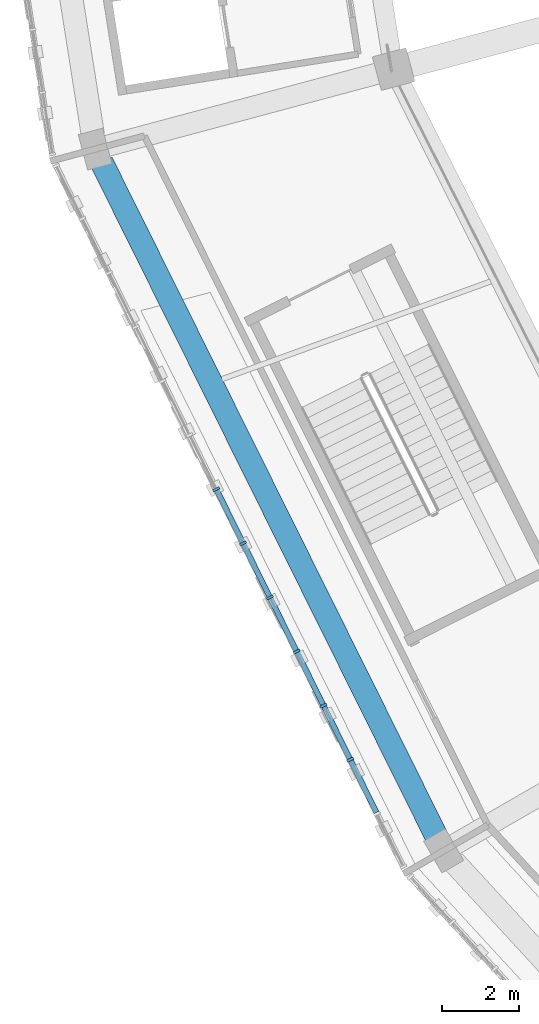
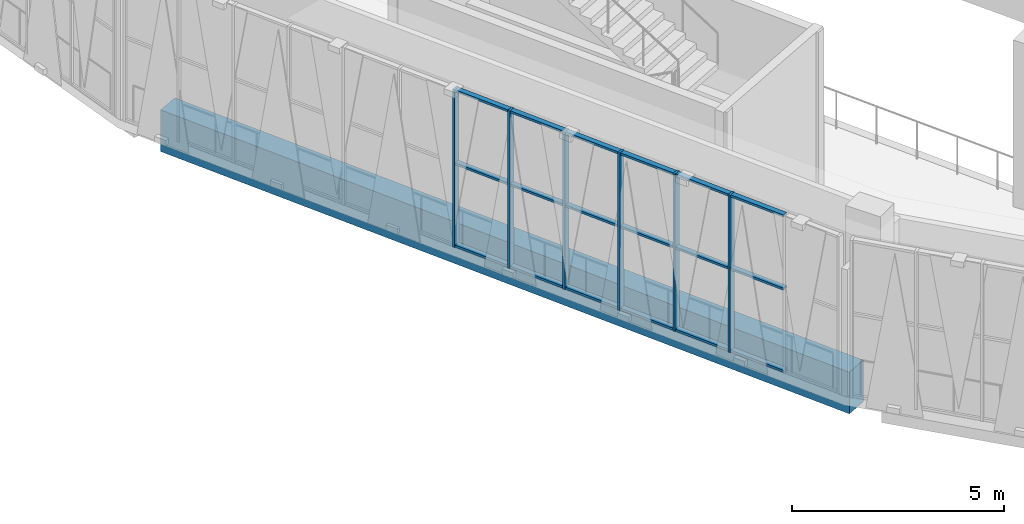
# One storey, part 3 of 108: 24 members, 1 beam, 1 element without a shape of its own.
"""IFC4 building model written with IfcOpenShell, lengths in metres."""

from ifc_helpers import new_model, si_unit, direction, frame, origin, origin_2d, place, context, subcontext, project, spatial, rectangle, extrude, material, material_profile, profile_set, type_object, element, aggregate, save


model = new_model("IFC4")

# Units and contexts
model_context = context("Model", 3, precision=1e-05, world=origin(), true_north=direction((0.0, 1.0)))
body_context = subcontext(model_context, "Body", "Model", "MODEL_VIEW")
ifc_project = project(units=[si_unit("LENGTHUNIT", "METRE"), si_unit("AREAUNIT", "SQUARE_METRE"), si_unit("VOLUMEUNIT", "CUBIC_METRE"), si_unit("PLANEANGLEUNIT", "RADIAN"), si_unit("MASSUNIT", "GRAM", prefix="KILO")], contexts=[model_context])

# Site, building, storey
site_placement = place(None, origin())
site = spatial("IfcSite", under=ifc_project, at=site_placement, CompositionType="ELEMENT")
building_placement = place(site_placement, origin())
building = spatial("IfcBuilding", under=site, at=building_placement, Name="Zevraka Park Crest Stadium", CompositionType="ELEMENT")
storey_placement = place(building_placement, frame((0.0, 0.0, 19.800048828125)))
storey = spatial("IfcBuildingStorey", under=building, at=storey_placement, Name="L04", CompositionType="ELEMENT", Elevation=19.800048828125)

# Curtain wall, members
ifc_material_1 = material(Name="Anodised architectural aluminium and laminated safety glass", Category="aluminium")
curtain_wall_type = type_object("IfcCurtainWallType", Name="CW17", PredefinedType="NOTDEFINED", material=ifc_material_1)
curtain_wall_placement = place(storey_placement, origin())
curtain_wall = element("IfcCurtainWall", 1, at=curtain_wall_placement, inside=storey, type_object=curtain_wall_type, Name="Unitised Ring Curtain Wall CW17 L04-13", PredefinedType="NOTDEFINED")
ifc_material_2 = material(Name="Anodised architectural aluminium", Category="aluminium")
ifc_material_profile_1 = material_profile(ifc_material_2, rectangle(XDim=0.179931640625, YDim=0.06494140625, at=origin_2d()), Name="ALU MULLION 180x65")
ifc_profile_set_1 = profile_set([ifc_material_profile_1], Name="Anodised architectural aluminium")
member_type_1 = type_object("IfcMemberType", Name="CM02", PredefinedType="MULLION", material=ifc_profile_set_1)
member_1_placement = place(storey_placement, frame((27.91357421875, 63.71044921875, 0.0), z_axis=(0.0, 0.0, 1.0), x_axis=(0.896046076106, 0.443961067545, 0.0)))
member_1 = element("IfcMember", 2, at=member_1_placement, type_object=member_type_1, Name="CW17 mullion 7", PredefinedType="MULLION", context=body_context, shape_type="SweptSolid", body=[
    extrude(rectangle(XDim=0.179931640625, YDim=0.06494140625, at=origin_2d()), origin(), (0.0, 0.0, 1.0), 4.5400390625),
])
member_2_placement = place(storey_placement, frame((28.607421875, 62.310546875, 0.0), z_axis=(0.0, 0.0, 1.0), x_axis=(0.896046076106, 0.443961067545, 0.0)))
member_2 = element("IfcMember", 3, at=member_2_placement, type_object=member_type_1, Name="CW17 mullion 8", PredefinedType="MULLION", context=body_context, shape_type="SweptSolid", body=[
    extrude(rectangle(XDim=0.179931640625, YDim=0.06494140625, at=origin_2d()), origin(), (0.0, 0.0, 1.0), 4.5400390625),
])
member_3_placement = place(storey_placement, frame((29.301025390625, 60.91064453125, 0.0), z_axis=(0.0, 0.0, 1.0), x_axis=(0.896046076106, 0.443961067545, 0.0)))
member_3 = element("IfcMember", 4, at=member_3_placement, type_object=member_type_1, Name="CW17 mullion 9", PredefinedType="MULLION", context=body_context, shape_type="SweptSolid", body=[
    extrude(rectangle(XDim=0.179931640625, YDim=0.06494140625, at=origin_2d()), origin(), (0.0, 0.0, 1.0), 4.5400390625),
])
member_4_placement = place(storey_placement, frame((29.99462890625, 59.5107421875, 0.0), z_axis=(0.0, 0.0, 1.0), x_axis=(0.896046076106, 0.443961067545, 0.0)))
member_4 = element("IfcMember", 5, at=member_4_placement, type_object=member_type_1, Name="CW17 mullion 10", PredefinedType="MULLION", context=body_context, shape_type="SweptSolid", body=[
    extrude(rectangle(XDim=0.179931640625, YDim=0.06494140625, at=origin_2d()), origin(), (0.0, 0.0, 1.0), 4.5400390625),
])
member_5_placement = place(storey_placement, frame((30.688232421875, 58.11083984375, 0.0), z_axis=(0.0, 0.0, 1.0), x_axis=(0.896046076106, 0.443961067545, 0.0)))
member_5 = element("IfcMember", 6, at=member_5_placement, type_object=member_type_1, Name="CW17 mullion 11", PredefinedType="MULLION", context=body_context, shape_type="SweptSolid", body=[
    extrude(rectangle(XDim=0.179931640625, YDim=0.06494140625, at=origin_2d()), origin(), (0.0, 0.0, 1.0), 4.5400390625),
])
member_6_placement = place(storey_placement, frame((31.3818359375, 56.7109375, 0.0), z_axis=(0.0, 0.0, 1.0), x_axis=(0.896046076106, 0.443961067545, 0.0)))
member_6 = element("IfcMember", 7, at=member_6_placement, type_object=member_type_1, Name="CW17 mullion 12", PredefinedType="MULLION", context=body_context, shape_type="SweptSolid", body=[
    extrude(rectangle(XDim=0.179931640625, YDim=0.06494140625, at=origin_2d()), origin(), (0.0, 0.0, 1.0), 4.5400390625),
])
ifc_material_3 = material(Name="Anodised architectural aluminium", Category="aluminium")
ifc_material_profile_2 = material_profile(ifc_material_3, rectangle(XDim=0.139892578125, YDim=0.06494140625, at=origin_2d()), Name="ALU TRANSOM 140x65")
ifc_profile_set_2 = profile_set([ifc_material_profile_2], Name="Anodised architectural aluminium")
member_type_2 = type_object("IfcMemberType", Name="CT02", PredefinedType="USERDEFINED", material=ifc_profile_set_2)
member_7_placement = place(storey_placement, frame((27.92822265625, 63.681396484375, 0.032470703125), z_axis=(0.443818964624, -0.89611646935, 0.0), x_axis=(0.89611646935, 0.443818964624, 0.0)))
member_7 = element("IfcMember", 8, at=member_7_placement, type_object=member_type_2, Name="CW17 transom 7.1", ObjectType="TRANSOM", PredefinedType="USERDEFINED", context=body_context, shape_type="SweptSolid", body=[
    extrude(rectangle(XDim=0.139892578125, YDim=0.06494140625, at=origin_2d()), origin(), (0.0, 0.0, 1.0), 1.497314453125),
])
member_8_placement = place(storey_placement, frame((27.92822265625, 63.681396484375, 2.39990234375), z_axis=(0.443818964624, -0.89611646935, 0.0), x_axis=(0.89611646935, 0.443818964624, 0.0)))
member_8 = element("IfcMember", 9, at=member_8_placement, type_object=member_type_2, Name="CW17 transom 7.2", ObjectType="TRANSOM", PredefinedType="USERDEFINED", context=body_context, shape_type="SweptSolid", body=[
    extrude(rectangle(XDim=0.139892578125, YDim=0.06494140625, at=origin_2d()), origin(), (0.0, 0.0, 1.0), 1.497314453125),
])
member_9_placement = place(storey_placement, frame((27.92822265625, 63.681396484375, 4.507568359375), z_axis=(0.443818964624, -0.89611646935, 0.0), x_axis=(0.89611646935, 0.443818964624, 0.0)))
member_9 = element("IfcMember", 10, at=member_9_placement, type_object=member_type_2, Name="CW17 transom 7.3", ObjectType="TRANSOM", PredefinedType="USERDEFINED", context=body_context, shape_type="SweptSolid", body=[
    extrude(rectangle(XDim=0.139892578125, YDim=0.06494140625, at=origin_2d()), origin(), (0.0, 0.0, 1.0), 1.497314453125),
])
member_10_placement = place(storey_placement, frame((28.621826171875, 62.281494140625, 0.032470703125), z_axis=(0.443818964624, -0.89611646935, 0.0), x_axis=(0.89611646935, 0.443818964624, 0.0)))
member_10 = element("IfcMember", 11, at=member_10_placement, type_object=member_type_2, Name="CW17 transom 8.1", ObjectType="TRANSOM", PredefinedType="USERDEFINED", context=body_context, shape_type="SweptSolid", body=[
    extrude(rectangle(XDim=0.139892578125, YDim=0.06494140625, at=origin_2d()), origin(), (0.0, 0.0, 1.0), 1.497314453125),
])
member_11_placement = place(storey_placement, frame((28.621826171875, 62.281494140625, 2.39990234375), z_axis=(0.443818964624, -0.89611646935, 0.0), x_axis=(0.89611646935, 0.443818964624, 0.0)))
member_11 = element("IfcMember", 12, at=member_11_placement, type_object=member_type_2, Name="CW17 transom 8.2", ObjectType="TRANSOM", PredefinedType="USERDEFINED", context=body_context, shape_type="SweptSolid", body=[
    extrude(rectangle(XDim=0.139892578125, YDim=0.06494140625, at=origin_2d()), origin(), (0.0, 0.0, 1.0), 1.497314453125),
])
member_12_placement = place(storey_placement, frame((28.621826171875, 62.281494140625, 4.507568359375), z_axis=(0.443818964624, -0.89611646935, 0.0), x_axis=(0.89611646935, 0.443818964624, 0.0)))
member_12 = element("IfcMember", 13, at=member_12_placement, type_object=member_type_2, Name="CW17 transom 8.3", ObjectType="TRANSOM", PredefinedType="USERDEFINED", context=body_context, shape_type="SweptSolid", body=[
    extrude(rectangle(XDim=0.139892578125, YDim=0.06494140625, at=origin_2d()), origin(), (0.0, 0.0, 1.0), 1.497314453125),
])
member_13_placement = place(storey_placement, frame((29.3154296875, 60.881591796875, 0.032470703125), z_axis=(0.443949882668, -0.896051617754, 0.0), x_axis=(0.896051617754, 0.443949882668, 0.0)))
member_13 = element("IfcMember", 14, at=member_13_placement, type_object=member_type_2, Name="CW17 transom 9.1", ObjectType="TRANSOM", PredefinedType="USERDEFINED", context=body_context, shape_type="SweptSolid", body=[
    extrude(rectangle(XDim=0.139892578125, YDim=0.06494140625, at=origin_2d()), origin(), (0.0, 0.0, 1.0), 1.49755859375),
])
member_14_placement = place(storey_placement, frame((29.3154296875, 60.881591796875, 2.39990234375), z_axis=(0.443949882668, -0.896051617754, 0.0), x_axis=(0.896051617754, 0.443949882668, 0.0)))
member_14 = element("IfcMember", 15, at=member_14_placement, type_object=member_type_2, Name="CW17 transom 9.2", ObjectType="TRANSOM", PredefinedType="USERDEFINED", context=body_context, shape_type="SweptSolid", body=[
    extrude(rectangle(XDim=0.139892578125, YDim=0.06494140625, at=origin_2d()), origin(), (0.0, 0.0, 1.0), 1.49755859375),
])
member_15_placement = place(storey_placement, frame((29.3154296875, 60.881591796875, 4.507568359375), z_axis=(0.443949882668, -0.896051617754, 0.0), x_axis=(0.896051617754, 0.443949882668, 0.0)))
member_15 = element("IfcMember", 16, at=member_15_placement, type_object=member_type_2, Name="CW17 transom 9.3", ObjectType="TRANSOM", PredefinedType="USERDEFINED", context=body_context, shape_type="SweptSolid", body=[
    extrude(rectangle(XDim=0.139892578125, YDim=0.06494140625, at=origin_2d()), origin(), (0.0, 0.0, 1.0), 1.49755859375),
])
member_16_placement = place(storey_placement, frame((30.009033203125, 59.481689453125, 0.032470703125), z_axis=(0.443949882668, -0.896051617754, 0.0), x_axis=(0.896051617754, 0.443949882668, 0.0)))
member_16 = element("IfcMember", 17, at=member_16_placement, type_object=member_type_2, Name="CW17 transom 10.1", ObjectType="TRANSOM", PredefinedType="USERDEFINED", context=body_context, shape_type="SweptSolid", body=[
    extrude(rectangle(XDim=0.139892578125, YDim=0.06494140625, at=origin_2d()), origin(), (0.0, 0.0, 1.0), 1.49755859375),
])
member_17_placement = place(storey_placement, frame((30.009033203125, 59.481689453125, 2.39990234375), z_axis=(0.443949882668, -0.896051617754, 0.0), x_axis=(0.896051617754, 0.443949882668, 0.0)))
member_17 = element("IfcMember", 18, at=member_17_placement, type_object=member_type_2, Name="CW17 transom 10.2", ObjectType="TRANSOM", PredefinedType="USERDEFINED", context=body_context, shape_type="SweptSolid", body=[
    extrude(rectangle(XDim=0.139892578125, YDim=0.06494140625, at=origin_2d()), origin(), (0.0, 0.0, 1.0), 1.49755859375),
])
member_18_placement = place(storey_placement, frame((30.009033203125, 59.481689453125, 4.507568359375), z_axis=(0.443949882668, -0.896051617754, 0.0), x_axis=(0.896051617754, 0.443949882668, 0.0)))
member_18 = element("IfcMember", 19, at=member_18_placement, type_object=member_type_2, Name="CW17 transom 10.3", ObjectType="TRANSOM", PredefinedType="USERDEFINED", context=body_context, shape_type="SweptSolid", body=[
    extrude(rectangle(XDim=0.139892578125, YDim=0.06494140625, at=origin_2d()), origin(), (0.0, 0.0, 1.0), 1.49755859375),
])
member_19_placement = place(storey_placement, frame((30.70263671875, 58.08154296875, 0.032470703125), z_axis=(0.444014747446, -0.896019477495, 0.0), x_axis=(0.896019477495, 0.444014747446, 0.0)))
member_19 = element("IfcMember", 20, at=member_19_placement, type_object=member_type_2, Name="CW17 transom 11.1", ObjectType="TRANSOM", PredefinedType="USERDEFINED", context=body_context, shape_type="SweptSolid", body=[
    extrude(rectangle(XDim=0.139892578125, YDim=0.06494140625, at=origin_2d()), origin(), (0.0, 0.0, 1.0), 1.497314453125),
])
member_20_placement = place(storey_placement, frame((30.70263671875, 58.08154296875, 2.39990234375), z_axis=(0.444014747446, -0.896019477495, 0.0), x_axis=(0.896019477495, 0.444014747446, 0.0)))
member_20 = element("IfcMember", 21, at=member_20_placement, type_object=member_type_2, Name="CW17 transom 11.2", ObjectType="TRANSOM", PredefinedType="USERDEFINED", context=body_context, shape_type="SweptSolid", body=[
    extrude(rectangle(XDim=0.139892578125, YDim=0.06494140625, at=origin_2d()), origin(), (0.0, 0.0, 1.0), 1.497314453125),
])
member_21_placement = place(storey_placement, frame((30.70263671875, 58.08154296875, 4.507568359375), z_axis=(0.444014747446, -0.896019477495, 0.0), x_axis=(0.896019477495, 0.444014747446, 0.0)))
member_21 = element("IfcMember", 22, at=member_21_placement, type_object=member_type_2, Name="CW17 transom 11.3", ObjectType="TRANSOM", PredefinedType="USERDEFINED", context=body_context, shape_type="SweptSolid", body=[
    extrude(rectangle(XDim=0.139892578125, YDim=0.06494140625, at=origin_2d()), origin(), (0.0, 0.0, 1.0), 1.497314453125),
])
member_22_placement = place(storey_placement, frame((31.396240234375, 56.681640625, 0.032470703125), z_axis=(0.444014747446, -0.896019477495, 0.0), x_axis=(0.896019477495, 0.444014747446, 0.0)))
member_22 = element("IfcMember", 23, at=member_22_placement, type_object=member_type_2, Name="CW17 transom 12.1", ObjectType="TRANSOM", PredefinedType="USERDEFINED", context=body_context, shape_type="SweptSolid", body=[
    extrude(rectangle(XDim=0.139892578125, YDim=0.06494140625, at=origin_2d()), origin(), (0.0, 0.0, 1.0), 1.497314453125),
])
member_23_placement = place(storey_placement, frame((31.396240234375, 56.681640625, 2.39990234375), z_axis=(0.444014747446, -0.896019477495, 0.0), x_axis=(0.896019477495, 0.444014747446, 0.0)))
member_23 = element("IfcMember", 24, at=member_23_placement, type_object=member_type_2, Name="CW17 transom 12.2", ObjectType="TRANSOM", PredefinedType="USERDEFINED", context=body_context, shape_type="SweptSolid", body=[
    extrude(rectangle(XDim=0.139892578125, YDim=0.06494140625, at=origin_2d()), origin(), (0.0, 0.0, 1.0), 1.497314453125),
])
member_24_placement = place(storey_placement, frame((31.396240234375, 56.681640625, 4.507568359375), z_axis=(0.444014747446, -0.896019477495, 0.0), x_axis=(0.896019477495, 0.444014747446, 0.0)))
member_24 = element("IfcMember", 25, at=member_24_placement, type_object=member_type_2, Name="CW17 transom 12.3", ObjectType="TRANSOM", PredefinedType="USERDEFINED", context=body_context, shape_type="SweptSolid", body=[
    extrude(rectangle(XDim=0.139892578125, YDim=0.06494140625, at=origin_2d()), origin(), (0.0, 0.0, 1.0), 1.497314453125),
])
aggregate(curtain_wall, [member_1, member_2, member_3, member_4, member_5, member_6, member_7, member_8, member_9, member_10, member_11, member_12, member_13, member_14, member_15, member_16, member_17, member_18, member_19, member_20, member_21, member_22, member_23, member_24])

# Beam
ifc_material_4 = material(Name="Concrete C40/50", Category="concrete")
ifc_material_profile_3 = material_profile(ifc_material_4, rectangle(XDim=0.60009765625, YDim=1.199951171875, at=origin_2d()), Name="RC 1200x600")
ifc_profile_set_3 = profile_set([ifc_material_profile_3], Name="Concrete C40/50")
beam_type = type_object("IfcBeamType", Name="RB01", PredefinedType="BEAM", material=ifc_profile_set_3)
beam_placement = place(storey_placement, frame((24.946044921875, 72.1708984375, -0.610107421875), z_axis=(0.444850507814, -0.895604837916, 0.0), x_axis=(0.895604837916, 0.444850507814, 0.0)))
element("IfcBeam", 26, at=beam_placement, inside=storey, type_object=beam_type, Name="Ring Beam RB01 L04-D-13", PredefinedType="BEAM", context=body_context, shape_type="SweptSolid", body=[
    extrude(rectangle(XDim=0.60009765625, YDim=1.199951171875, at=origin_2d()), origin(), (0.0, 0.0, 1.0), 19.5185546875),
])

save(model, "model.ifc")
